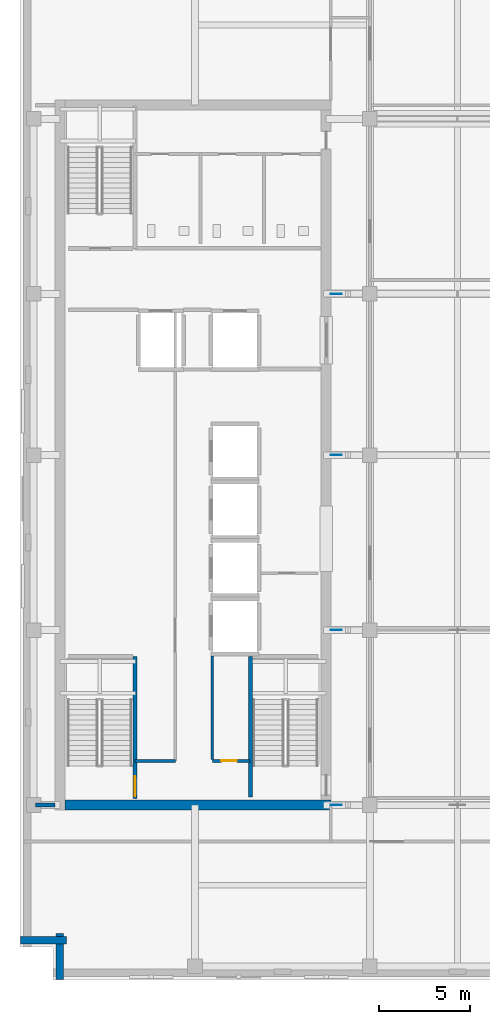
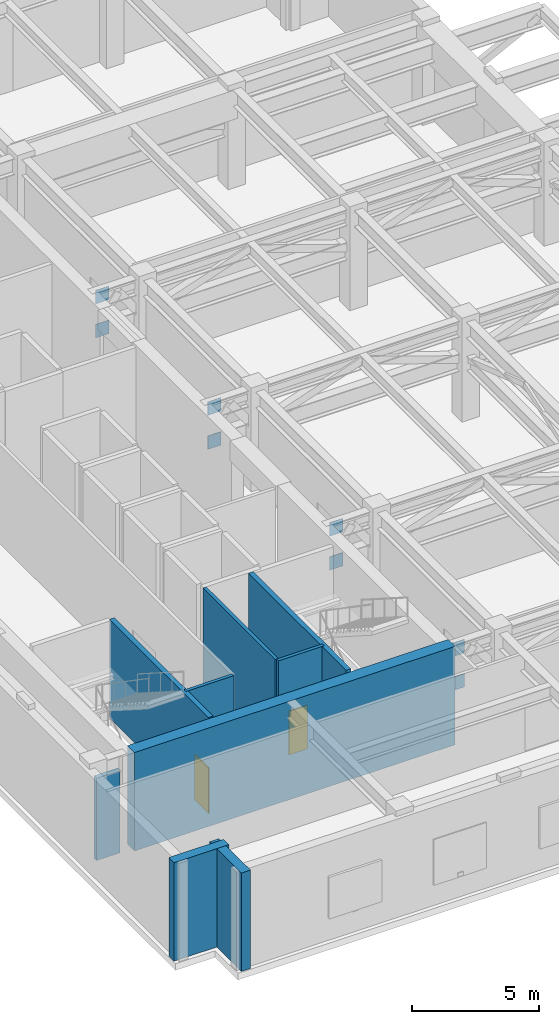
# One storey, part 11 of 19: 9 walls, 8 plates, 2 doors, 2 openings.
"""IFC4 building model written with IfcOpenShell, lengths in metres."""

from ifc_helpers import new_model, si_unit, direction, frame, frame_2d, origin, origin_2d, place, context, subcontext, project, spatial, rectangle, extrude, material, layer, layer_set, type_object, element, fill, save


model = new_model("IFC4")

# Units and contexts
model_context = context("Model", 3, precision=1e-05, world=origin(), true_north=direction((0.0, 1.0)))
body_context = subcontext(model_context, "Body", "Model", "MODEL_VIEW")
ifc_project = project(units=[si_unit("LENGTHUNIT", "METRE"), si_unit("AREAUNIT", "SQUARE_METRE"), si_unit("VOLUMEUNIT", "CUBIC_METRE"), si_unit("PLANEANGLEUNIT", "RADIAN"), si_unit("MASSUNIT", "GRAM", prefix="KILO")], contexts=[model_context])

# Site, building, storey
site_placement = place(None, origin())
site = spatial("IfcSite", under=ifc_project, at=site_placement, CompositionType="ELEMENT")
building_placement = place(site_placement, origin())
building = spatial("IfcBuilding", under=site, at=building_placement, Name="Norrvale University Quadrangle", CompositionType="ELEMENT")
storey_placement = place(building_placement, frame((0.0, 0.0, 256.0)))
storey = spatial("IfcBuildingStorey", under=building, at=storey_placement, Name="L65", CompositionType="ELEMENT", Elevation=256.0)

# Plates
ifc_material_1 = material(Name="Steel 350W", Category="steel")
ifc_layer_1 = layer(ifc_material_1, 0.02490234375, Name="Steel 350W")
ifc_layer_set_1 = layer_set([ifc_layer_1], Name="Steel 350W")
plate_type = type_object("IfcPlateType", Name="Plate Gusset 25", PredefinedType="USERDEFINED", material=ifc_layer_set_1)
for number, where, z_axis, x_axis, name in (
    (1, (17.35498046875, 9.60009765625, 2.425048828125), (0.0, 0.0, 1.0), (1.0, 0.0, 0.0), "Core Outrigger Embedment Gusset L65-1B"),
    (2, (17.35498046875, 9.60009765625, 4.06494140625), (0.0, 0.0, 1.0), (1.0, 0.0, 0.0), "Core Outrigger Embedment Gusset L65-1T"),
    (3, (17.35498046875, 19.199951171875, 2.425048828125), (0.0, 0.0, 1.0), (1.0, 0.0, 0.0), "Core Outrigger Embedment Gusset L65-2B"),
    (4, (17.35498046875, 19.199951171875, 4.06494140625), (0.0, 0.0, 1.0), (1.0, 0.0, 0.0), "Core Outrigger Embedment Gusset L65-2T"),
    (5, (17.35498046875, 28.800048828125, 2.425048828125), (0.0, 0.0, 1.0), (1.0, 0.0, 0.0), "Core Outrigger Embedment Gusset L65-3B"),
    (6, (17.35498046875, 28.800048828125, 4.06494140625), (0.0, 0.0, 1.0), (1.0, 0.0, 0.0), "Core Outrigger Embedment Gusset L65-3T"),
    (7, (17.35498046875, 37.64990234375, 2.425048828125), (0.0, 0.0, 1.0), (1.0, 0.0, 0.0), "Core Outrigger Embedment Gusset L65-4B"),
    (8, (17.35498046875, 37.64990234375, 4.06494140625), (0.0, 0.0, 1.0), (1.0, 0.0, 0.0), "Core Outrigger Embedment Gusset L65-4T"),
):
    element("IfcPlate", number, at=place(storey_placement, frame(where, z_axis=z_axis, x_axis=x_axis)), inside=storey, type_object=plate_type, Name=name, ObjectType="GUSSET_PLATE", PredefinedType="USERDEFINED", context=body_context, shape_type="SweptSolid", body=[
        extrude(rectangle(XDim=0.60009765625, YDim=0.02490234375, at=origin_2d()), origin(), (0.0, 0.0, 1.0), 0.64990234375),
    ])

# Walls
ifc_material_2 = material(Name="Buff Norman Clay Brick Masonry", Category="masonry")
ifc_layer_2 = layer(ifc_material_2, 0.419921875, Name="Buff Norman Clay Brick Masonry")
ifc_layer_set_2 = layer_set([ifc_layer_2], Name="Buff Norman Clay Brick Masonry")
wall_type_1 = type_object("IfcWallType", Name="Wall Buff Brick 420", PredefinedType="SOLIDWALL", material=ifc_layer_set_2)
for number, where, z_axis, x_axis, name in (
    (9, (0.0400390625, 2.18994140625, 0.0), (0.0, 0.0, 1.0), (1.0, 0.0, 0.0), "Exterior Brick Facade Wall L65-15.1"),
    (10, (2.18994140625, 2.5400390625, 0.0), (0.0, 0.0, 1.0), (0.0, -1.0, 0.0), "Exterior Brick Facade Wall L65-16.1"),
):
    element("IfcWall", number, at=place(storey_placement, frame(where, z_axis=z_axis, x_axis=x_axis)), inside=storey, type_object=wall_type_1, Name=name, PredefinedType="SOLIDWALL", context=body_context, shape_type="SweptSolid", body=[
        extrude(rectangle(XDim=2.5, YDim=0.419921875, at=frame_2d((1.25, 0.0))), origin(), (0.0, 0.0, 1.0), 4.739990234375),
    ])
ifc_material_3 = material(Name="Concrete C60/75", Category="concrete")
ifc_layer_3 = layer(ifc_material_3, 0.550048828125, Name="Concrete C60/75")
ifc_layer_set_3 = layer_set([ifc_layer_3], Name="Concrete C60/75")
wall_type_2 = type_object("IfcWallType", Name="Wall Core 550", PredefinedType="SHEAR", material=ifc_layer_set_3)
wall_1_placement = place(storey_placement, frame((2.47509765625, 9.60009765625, 0.0), z_axis=(0.0, 0.0, 1.0), x_axis=(1.0, 0.0, 0.0)))
element("IfcWall", 11, at=wall_1_placement, inside=storey, type_object=wall_type_2, Name="Tower Core Shear Wall L65-S", PredefinedType="SHEAR", context=body_context, shape_type="SweptSolid", body=[
    extrude(rectangle(XDim=14.599853515625, YDim=0.550048828125, at=frame_2d((7.2998046875, 0.0))), origin(), (0.0, 0.0, 1.0), 4.739990234375),
])

# Wall, opening, door
ifc_material_4 = material(Name="Fire-Rated Gypsum Stud Partition")
ifc_layer_4 = layer(ifc_material_4, 0.14990234375, Name="Fire-Rated Gypsum Stud Partition")
ifc_layer_set_4 = layer_set([ifc_layer_4], Name="Fire-Rated Gypsum Stud Partition")
wall_type_3 = type_object("IfcWallType", Name="Wall Gypsum Corridor 150", PredefinedType="PARTITIONING", material=ifc_layer_set_4)
wall_2_placement = place(storey_placement, frame((10.550048828125, 12.02001953125, 0.0), z_axis=(0.0, 0.0, 1.0), x_axis=(1.0, 0.0, 0.0)))
wall_2 = element("IfcWall", 12, at=wall_2_placement, inside=storey, type_object=wall_type_3, Name="Interior Partition WL-L65-SC-NR", PredefinedType="PARTITIONING", context=body_context, shape_type="SweptSolid", body=[
    extrude(rectangle(XDim=2.079833984375, YDim=0.14990234375, at=frame_2d((1.0400390625, 0.0))), origin(), (0.0, 0.0, 1.0), 4.739990234375),
])
opening_1_placement = place(wall_2_placement, frame((0.5, 0.0, 0.0)))
opening_1 = element("IfcOpeningElement", 13, at=opening_1_placement, cuts=wall_2, Name="Opening D10", PredefinedType="OPENING", context=body_context, shape_type="SweptSolid", body=[
    extrude(rectangle(XDim=0.85009765625, YDim=2.10009765625, at=frame_2d((0.425048828125, 1.050048828125))), frame((0.0, 0.0869140625, 0.0), z_axis=(0.0, -1.0, 0.0), x_axis=(1.0, 0.0, 0.0)), (0.0, 0.0, 1.0), 0.173828125),
])
ifc_material_5 = material(Name="Hollow Steel 350W Riser Fire Door", Category="steel")
door_type_1 = type_object("IfcDoorType", Name="Door Riser 850x2100", OperationType="NOTDEFINED", PredefinedType="DOOR", material=ifc_material_5)
door_1_placement = place(opening_1_placement, origin())
door_1 = element("IfcDoor", 14, at=door_1_placement, inside=storey, type_object=door_type_1, Name="Door Riser 850x2100 DR-L65-IDF", OperationType="SINGLE_SWING_RIGHT", OverallHeight=2.10009765625, OverallWidth=0.85009765625, PredefinedType="DOOR", context=body_context, shape_type="SweptSolid", body=[
    extrude(rectangle(XDim=0.85009765625, YDim=2.10009765625, at=frame_2d((0.425048828125, 1.050048828125))), frame((0.0, 0.02490234375, 0.0), z_axis=(0.0, -1.0, 0.0), x_axis=(1.0, 0.0, 0.0)), (0.0, 0.0, 1.0), 0.050048828125),
])
fill(opening_1, door_1)

# Walls
wall_3_placement = place(storey_placement, frame((10.550048828125, 12.094970703125, 0.0), z_axis=(0.0, 0.0, 1.0), x_axis=(0.0, 1.0, 0.0)))
element("IfcWall", 15, at=wall_3_placement, inside=storey, type_object=wall_type_3, Name="Interior Partition WL-L65-SC-WR", PredefinedType="PARTITIONING", context=body_context, shape_type="SweptSolid", body=[
    extrude(rectangle(XDim=5.679931640625, YDim=0.14990234375, at=frame_2d((2.83984375, 0.0))), origin(), (0.0, 0.0, 1.0), 4.739990234375),
])
wall_4_placement = place(storey_placement, frame((6.320068359375, 12.02001953125, 0.0), z_axis=(0.0, 0.0, 1.0), x_axis=(1.0, 0.0, 0.0)))
element("IfcWall", 16, at=wall_4_placement, inside=storey, type_object=wall_type_3, Name="Interior Partition WL-L65-REC-S", PredefinedType="PARTITIONING", context=body_context, shape_type="SweptSolid", body=[
    extrude(rectangle(XDim=2.199951171875, YDim=0.14990234375, at=frame_2d((1.10009765625, 0.0))), origin(), (0.0, 0.0, 1.0), 4.739990234375),
])
ifc_material_6 = material(Name="Concrete Blockwork 20 MPa Rated Wall", Category="masonry")
ifc_layer_5 = layer(ifc_material_6, 0.199951171875, Name="Concrete Blockwork 20 MPa Rated Wall")
ifc_layer_set_5 = layer_set([ifc_layer_5], Name="Concrete Blockwork 20 MPa Rated Wall")
wall_type_4 = type_object("IfcWallType", Name="Wall Lobby 200", PredefinedType="SOLIDWALL", material=ifc_layer_set_5)
wall_5_placement = place(storey_placement, frame((0.85009765625, 9.60009765625, 0.0), z_axis=(0.0, 0.0, 1.0), x_axis=(1.0, 0.0, 0.0)))
element("IfcWall", 17, at=wall_5_placement, inside=storey, type_object=wall_type_4, Name="Interior Partition WL-L65-CWRET-S", PredefinedType="SOLIDWALL", context=body_context, shape_type="SweptSolid", body=[
    extrude(rectangle(XDim=1.06982421875, YDim=0.199951171875, at=frame_2d((0.534912109375, 0.0))), origin(), (0.0, 0.0, 1.0), 3.967041015625),
])

# Wall, opening, door
ifc_material_7 = material(Name="Concrete Blockwork 20 MPa Fire Shaft", Category="masonry")
ifc_layer_6 = layer(ifc_material_7, 0.219970703125, Name="Concrete Blockwork 20 MPa Fire Shaft")
ifc_layer_set_6 = layer_set([ifc_layer_6], Name="Concrete Blockwork 20 MPa Fire Shaft")
wall_type_5 = type_object("IfcWallType", Name="Wall Shaft 220", PredefinedType="SOLIDWALL", material=ifc_layer_set_6)
wall_6_placement = place(storey_placement, frame((6.31005859375, 9.949951171875, 0.0), z_axis=(0.0, 0.0, 1.0), x_axis=(0.0, 1.0, 0.0)))
wall_6 = element("IfcWall", 18, at=wall_6_placement, inside=storey, type_object=wall_type_5, Name="Stair ST-01 East Shaft Wall L65", PredefinedType="SOLIDWALL", context=body_context, shape_type="SweptSolid", body=[
    extrude(rectangle(XDim=7.81005859375, YDim=0.219970703125, at=frame_2d((3.905029296875, 0.0))), origin(), (0.0, 0.0, 1.0), 4.739990234375),
])
opening_2_placement = place(wall_6_placement, frame((0.139892578125, 0.0, 0.0)))
opening_2 = element("IfcOpeningElement", 19, at=opening_2_placement, cuts=wall_6, Name="Opening D02", PredefinedType="OPENING", context=body_context, shape_type="SweptSolid", body=[
    extrude(rectangle(XDim=1.10009765625, YDim=2.199951171875, at=frame_2d((0.550048828125, 1.10009765625))), frame((0.0, 0.1220703125, 0.0), z_axis=(0.0, -1.0, 0.0), x_axis=(1.0, 0.0, 0.0)), (0.0, 0.0, 1.0), 0.243896484375),
])
ifc_material_8 = material(Name="Hollow Steel 350W Fire Door", Category="steel")
door_type_2 = type_object("IfcDoorType", Name="Door Stair Exit 1100x2200", OperationType="NOTDEFINED", PredefinedType="DOOR", material=ifc_material_8)
door_2_placement = place(opening_2_placement, origin())
door_2 = element("IfcDoor", 20, at=door_2_placement, inside=storey, type_object=door_type_2, Name="Door Stair Exit 1100x2200 DR-L65-ST01", OperationType="SINGLE_SWING_LEFT", OverallHeight=2.199951171875, OverallWidth=1.10009765625, PredefinedType="DOOR", context=body_context, shape_type="SweptSolid", body=[
    extrude(rectangle(XDim=1.10009765625, YDim=2.199951171875, at=frame_2d((0.550048828125, 1.10009765625))), frame((0.0, 0.02490234375, 0.0), z_axis=(0.0, -1.0, 0.0), x_axis=(1.0, 0.0, 0.0)), (0.0, 0.0, 1.0), 0.050048828125),
])
fill(opening_2, door_2)

# Wall
wall_7_placement = place(storey_placement, frame((12.639892578125, 10.050048828125, 0.0), z_axis=(0.0, 0.0, 1.0), x_axis=(0.0, 1.0, 0.0)))
element("IfcWall", 21, at=wall_7_placement, inside=storey, type_object=wall_type_5, Name="Stair ST-03 West Shaft Wall L65", PredefinedType="SOLIDWALL", context=body_context, shape_type="SweptSolid", body=[
    extrude(rectangle(XDim=7.7099609375, YDim=0.219970703125, at=frame_2d((3.85498046875, 0.0))), origin(), (0.0, 0.0, 1.0), 4.739990234375),
])

save(model, "model.ifc")
